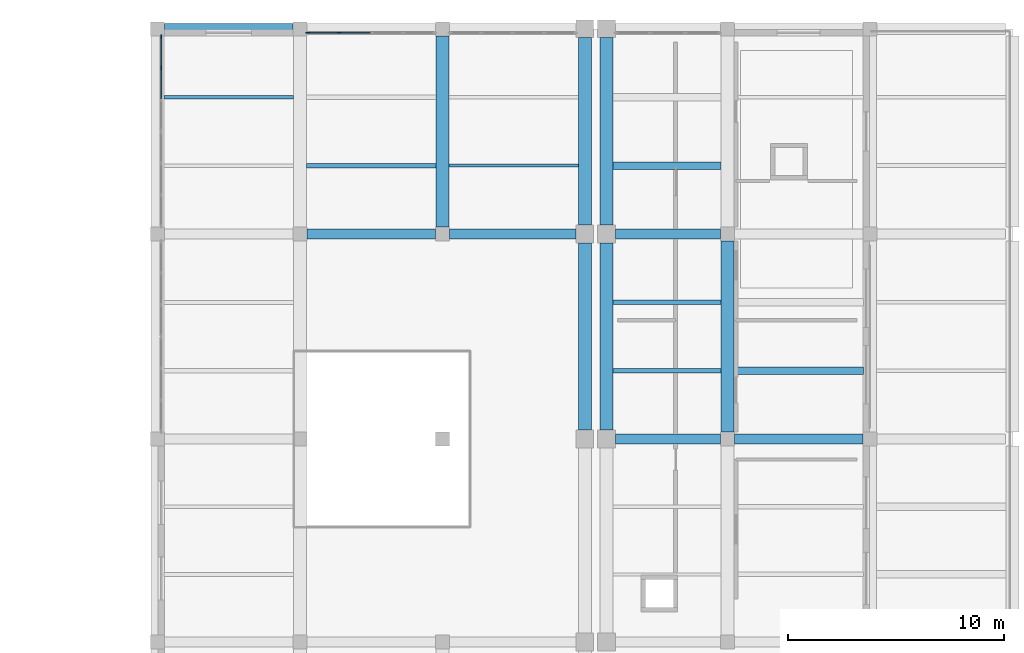
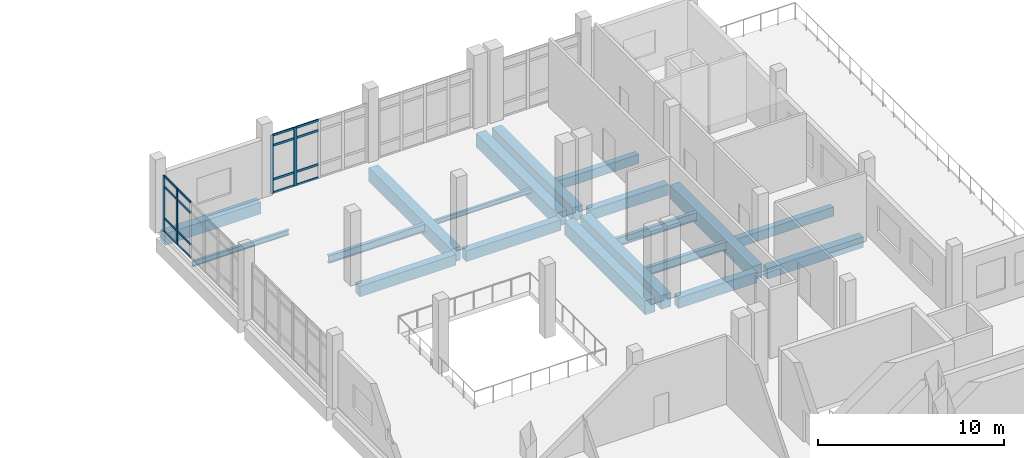
# One storey, part 29 of 73: 20 members, 19 beams, 2 elements without a shape of their own.
"""IFC4 building model written with IfcOpenShell, lengths in metres."""

from ifc_helpers import new_model, si_unit, direction, frame, origin, origin_2d, place, context, subcontext, project, spatial, rectangle, i_section, extrude, material, layer, layer_set, material_profile, profile_set, type_object, element, aggregate, save


model = new_model("IFC4")

# Units and contexts
model_context = context("Model", 3, precision=1e-05, world=origin(), true_north=direction((0.0, 1.0)))
body_context = subcontext(model_context, "Body", "Model", "MODEL_VIEW")
ifc_project = project(units=[si_unit("LENGTHUNIT", "METRE"), si_unit("AREAUNIT", "SQUARE_METRE"), si_unit("VOLUMEUNIT", "CUBIC_METRE"), si_unit("PLANEANGLEUNIT", "RADIAN"), si_unit("MASSUNIT", "GRAM", prefix="KILO")], contexts=[model_context])

# Site, building, storey
site_placement = place(None, origin())
site = spatial("IfcSite", under=ifc_project, at=site_placement, CompositionType="ELEMENT")
building_placement = place(site_placement, origin())
building = spatial("IfcBuilding", under=site, at=building_placement, Name="Kelarvand Opera House", CompositionType="ELEMENT")
storey_placement = place(building_placement, frame((0.0, 0.0, 10.199951171875)))
storey = spatial("IfcBuildingStorey", under=building, at=storey_placement, Name="L02", CompositionType="ELEMENT", Elevation=10.199951171875)

# Curtain wall, members
ifc_material_1 = material(Name="Thermally broken aluminium and low-E glazing", Category="aluminium")
ifc_layer_1 = layer(ifc_material_1, 0.179931640625, Name="Thermally broken aluminium and low-E glazing", Category="aluminium")
ifc_layer_set_1 = layer_set([ifc_layer_1], Name="Thermally broken aluminium and low-E glazing")
curtain_wall_type_1 = type_object("IfcCurtainWallType", Name="Unitised Low-E Curtain Wall 4411x3680 Mod 1450 CWF-47", PredefinedType="USERDEFINED", material=ifc_layer_set_1)
curtain_wall_1_placement = place(storey_placement, origin())
curtain_wall_1 = element("IfcCurtainWall", 1, at=curtain_wall_1_placement, inside=storey, type_object=curtain_wall_type_1, Name="V5 L02 Curtain Wall CWF-47 (193)", ObjectType="UNITISED CURTAIN WALL", PredefinedType="USERDEFINED")
ifc_material_2 = material(Name="Thermally broken anodised aluminium", Category="aluminium")
ifc_material_profile_1 = material_profile(ifc_material_2, rectangle(XDim=0.06494140625, YDim=0.179931640625, at=origin_2d()), Name="ALU MULLION 65x180", Category="aluminium")
ifc_profile_set_1 = profile_set([ifc_material_profile_1], Name="Thermally broken anodised aluminium")
member_type_1 = type_object("IfcMemberType", Name="Curtain Wall Mullion 65x180 Aluminium", PredefinedType="MULLION", material=ifc_profile_set_1)
member_1_placement = place(storey_placement, frame((95.780029296875, 123.193359375, 0.0), z_axis=(0.0, 0.0, 1.0), x_axis=(-1.0, 0.0, 0.0)))
member_1 = element("IfcMember", 2, at=member_1_placement, type_object=member_type_1, Name="CWF-47 mullion 3", PredefinedType="MULLION", context=body_context, shape_type="SweptSolid", body=[
    extrude(rectangle(XDim=0.06494140625, YDim=0.179931640625, at=origin_2d()), origin(), (0.0, 0.0, 1.0), 3.679931640625),
])
member_2_placement = place(storey_placement, frame((95.780029296875, 124.632568359375, 0.0), z_axis=(0.0, 0.0, 1.0), x_axis=(-1.0, 0.0, 0.0)))
member_2 = element("IfcMember", 3, at=member_2_placement, type_object=member_type_1, Name="CWF-47 mullion 4", PredefinedType="MULLION", context=body_context, shape_type="SweptSolid", body=[
    extrude(rectangle(XDim=0.06494140625, YDim=0.179931640625, at=origin_2d()), origin(), (0.0, 0.0, 1.0), 3.679931640625),
])

ifc_layer_2 = layer(ifc_material_1, 0.179931640625, Name="Thermally broken aluminium and low-E glazing", Category="aluminium")
ifc_layer_set_2 = layer_set([ifc_layer_2], Name="Thermally broken aluminium and low-E glazing")
curtain_wall_type_2 = type_object("IfcCurtainWallType", Name="Unitised Low-E Curtain Wall 5930x3830 Mod 1450 CWF-48", PredefinedType="USERDEFINED", material=ifc_layer_set_2)
curtain_wall_2_placement = place(storey_placement, origin())
curtain_wall_2 = element("IfcCurtainWall", 4, at=curtain_wall_2_placement, inside=storey, type_object=curtain_wall_type_2, Name="V5 L02 Curtain Wall CWF-48 (194)", ObjectType="UNITISED CURTAIN WALL", PredefinedType="USERDEFINED")
member_3_placement = place(storey_placement, frame((102.5673828125, 124.820068359375, 0.0), z_axis=(0.0, 0.0, 1.0), x_axis=(0.0, 1.0, 0.0)))
member_3 = element("IfcMember", 5, at=member_3_placement, type_object=member_type_1, Name="CWF-48 mullion 1", PredefinedType="MULLION", context=body_context, shape_type="SweptSolid", body=[
    extrude(rectangle(XDim=0.06494140625, YDim=0.179931640625, at=origin_2d()), origin(), (0.0, 0.0, 1.0), 3.830078125),
])
member_4_placement = place(storey_placement, frame((104.017578125, 124.820068359375, 0.0), z_axis=(0.0, 0.0, 1.0), x_axis=(0.0, 1.0, 0.0)))
member_4 = element("IfcMember", 6, at=member_4_placement, type_object=member_type_1, Name="CWF-48 mullion 2", PredefinedType="MULLION", context=body_context, shape_type="SweptSolid", body=[
    extrude(rectangle(XDim=0.06494140625, YDim=0.179931640625, at=origin_2d()), origin(), (0.0, 0.0, 1.0), 3.830078125),
])

# Member
ifc_material_profile_2 = material_profile(ifc_material_2, rectangle(XDim=0.06494140625, YDim=0.139892578125, at=origin_2d()), Name="ALU TRANSOM 65x140", Category="aluminium")
ifc_profile_set_2 = profile_set([ifc_material_profile_2], Name="Thermally broken anodised aluminium")
member_type_2 = type_object("IfcMemberType", Name="Curtain Wall Transom 65x140 Aluminium", PredefinedType="USERDEFINED", material=ifc_profile_set_2)
member_5_placement = place(storey_placement, frame((95.780029296875, 121.754150390625, 0.032470703125), z_axis=(0.0, 1.0, 0.0), x_axis=(-1.0, 0.0, 0.0)))
member_5 = element("IfcMember", 7, at=member_5_placement, type_object=member_type_2, Name="CWF-47 transom 2.1", ObjectType="TRANSOM", PredefinedType="USERDEFINED", context=body_context, shape_type="SweptSolid", body=[
    extrude(rectangle(XDim=0.06494140625, YDim=0.139892578125, at=origin_2d()), origin(), (0.0, 0.0, 1.0), 1.40673828125),
])

member_6_placement = place(storey_placement, frame((95.780029296875, 121.754150390625, 0.900146484375), z_axis=(0.0, 1.0, 0.0), x_axis=(-1.0, 0.0, 0.0)))
member_6 = element("IfcMember", 8, at=member_6_placement, type_object=member_type_2, Name="CWF-47 transom 2.2", ObjectType="TRANSOM", PredefinedType="USERDEFINED", context=body_context, shape_type="SweptSolid", body=[
    extrude(rectangle(XDim=0.06494140625, YDim=0.139892578125, at=origin_2d()), origin(), (0.0, 0.0, 1.0), 1.40673828125),
])

member_7_placement = place(storey_placement, frame((95.780029296875, 121.754150390625, 2.97998046875), z_axis=(0.0, 1.0, 0.0), x_axis=(-1.0, 0.0, 0.0)))
member_7 = element("IfcMember", 9, at=member_7_placement, type_object=member_type_2, Name="CWF-47 transom 2.3", ObjectType="TRANSOM", PredefinedType="USERDEFINED", context=body_context, shape_type="SweptSolid", body=[
    extrude(rectangle(XDim=0.06494140625, YDim=0.139892578125, at=origin_2d()), origin(), (0.0, 0.0, 1.0), 1.40673828125),
])

member_8_placement = place(storey_placement, frame((95.780029296875, 121.754150390625, 3.6474609375), z_axis=(0.0, 1.0, 0.0), x_axis=(-1.0, 0.0, 0.0)))
member_8 = element("IfcMember", 10, at=member_8_placement, type_object=member_type_2, Name="CWF-47 transom 2.4", ObjectType="TRANSOM", PredefinedType="USERDEFINED", context=body_context, shape_type="SweptSolid", body=[
    extrude(rectangle(XDim=0.06494140625, YDim=0.139892578125, at=origin_2d()), origin(), (0.0, 0.0, 1.0), 1.40673828125),
])

member_9_placement = place(storey_placement, frame((95.780029296875, 123.225830078125, 0.032470703125), z_axis=(0.0, 1.0, 0.0), x_axis=(-1.0, 0.0, 0.0)))
member_9 = element("IfcMember", 11, at=member_9_placement, type_object=member_type_2, Name="CWF-47 transom 3.1", ObjectType="TRANSOM", PredefinedType="USERDEFINED", context=body_context, shape_type="SweptSolid", body=[
    extrude(rectangle(XDim=0.06494140625, YDim=0.139892578125, at=origin_2d()), origin(), (0.0, 0.0, 1.0), 1.374267578125),
])

member_10_placement = place(storey_placement, frame((95.780029296875, 123.225830078125, 0.900146484375), z_axis=(0.0, 1.0, 0.0), x_axis=(-1.0, 0.0, 0.0)))
member_10 = element("IfcMember", 12, at=member_10_placement, type_object=member_type_2, Name="CWF-47 transom 3.2", ObjectType="TRANSOM", PredefinedType="USERDEFINED", context=body_context, shape_type="SweptSolid", body=[
    extrude(rectangle(XDim=0.06494140625, YDim=0.139892578125, at=origin_2d()), origin(), (0.0, 0.0, 1.0), 1.374267578125),
])

member_11_placement = place(storey_placement, frame((95.780029296875, 123.225830078125, 2.97998046875), z_axis=(0.0, 1.0, 0.0), x_axis=(-1.0, 0.0, 0.0)))
member_11 = element("IfcMember", 13, at=member_11_placement, type_object=member_type_2, Name="CWF-47 transom 3.3", ObjectType="TRANSOM", PredefinedType="USERDEFINED", context=body_context, shape_type="SweptSolid", body=[
    extrude(rectangle(XDim=0.06494140625, YDim=0.139892578125, at=origin_2d()), origin(), (0.0, 0.0, 1.0), 1.374267578125),
])

member_12_placement = place(storey_placement, frame((95.780029296875, 123.225830078125, 3.6474609375), z_axis=(0.0, 1.0, 0.0), x_axis=(-1.0, 0.0, 0.0)))
member_12 = element("IfcMember", 14, at=member_12_placement, type_object=member_type_2, Name="CWF-47 transom 3.4", ObjectType="TRANSOM", PredefinedType="USERDEFINED", context=body_context, shape_type="SweptSolid", body=[
    extrude(rectangle(XDim=0.06494140625, YDim=0.139892578125, at=origin_2d()), origin(), (0.0, 0.0, 1.0), 1.374267578125),
])

aggregate(curtain_wall_1, [member_1, member_2, member_5, member_6, member_7, member_8, member_9, member_10, member_11, member_12])

member_13_placement = place(storey_placement, frame((102.60009765625, 124.820068359375, 0.032470703125), z_axis=(1.0, 0.0, 0.0), x_axis=(0.0, 1.0, 0.0)))
member_13 = element("IfcMember", 15, at=member_13_placement, type_object=member_type_2, Name="CWF-48 transom 1.1", ObjectType="TRANSOM", PredefinedType="USERDEFINED", context=body_context, shape_type="SweptSolid", body=[
    extrude(rectangle(XDim=0.06494140625, YDim=0.139892578125, at=origin_2d()), origin(), (0.0, 0.0, 1.0), 1.385009765625),
])

member_14_placement = place(storey_placement, frame((102.60009765625, 124.820068359375, 0.900146484375), z_axis=(1.0, 0.0, 0.0), x_axis=(0.0, 1.0, 0.0)))
member_14 = element("IfcMember", 16, at=member_14_placement, type_object=member_type_2, Name="CWF-48 transom 1.2", ObjectType="TRANSOM", PredefinedType="USERDEFINED", context=body_context, shape_type="SweptSolid", body=[
    extrude(rectangle(XDim=0.06494140625, YDim=0.139892578125, at=origin_2d()), origin(), (0.0, 0.0, 1.0), 1.385009765625),
])

member_15_placement = place(storey_placement, frame((102.60009765625, 124.820068359375, 3.130126953125), z_axis=(1.0, 0.0, 0.0), x_axis=(0.0, 1.0, 0.0)))
member_15 = element("IfcMember", 17, at=member_15_placement, type_object=member_type_2, Name="CWF-48 transom 1.3", ObjectType="TRANSOM", PredefinedType="USERDEFINED", context=body_context, shape_type="SweptSolid", body=[
    extrude(rectangle(XDim=0.06494140625, YDim=0.139892578125, at=origin_2d()), origin(), (0.0, 0.0, 1.0), 1.385009765625),
])

member_16_placement = place(storey_placement, frame((102.60009765625, 124.820068359375, 3.797607421875), z_axis=(1.0, 0.0, 0.0), x_axis=(0.0, 1.0, 0.0)))
member_16 = element("IfcMember", 18, at=member_16_placement, type_object=member_type_2, Name="CWF-48 transom 1.4", ObjectType="TRANSOM", PredefinedType="USERDEFINED", context=body_context, shape_type="SweptSolid", body=[
    extrude(rectangle(XDim=0.06494140625, YDim=0.139892578125, at=origin_2d()), origin(), (0.0, 0.0, 1.0), 1.385009765625),
])

member_17_placement = place(storey_placement, frame((104.050048828125, 124.820068359375, 0.032470703125), z_axis=(1.0, 0.0, 0.0), x_axis=(0.0, 1.0, 0.0)))
member_17 = element("IfcMember", 19, at=member_17_placement, type_object=member_type_2, Name="CWF-48 transom 2.1", ObjectType="TRANSOM", PredefinedType="USERDEFINED", context=body_context, shape_type="SweptSolid", body=[
    extrude(rectangle(XDim=0.06494140625, YDim=0.139892578125, at=origin_2d()), origin(), (0.0, 0.0, 1.0), 1.41748046875),
])

member_18_placement = place(storey_placement, frame((104.050048828125, 124.820068359375, 0.900146484375), z_axis=(1.0, 0.0, 0.0), x_axis=(0.0, 1.0, 0.0)))
member_18 = element("IfcMember", 20, at=member_18_placement, type_object=member_type_2, Name="CWF-48 transom 2.2", ObjectType="TRANSOM", PredefinedType="USERDEFINED", context=body_context, shape_type="SweptSolid", body=[
    extrude(rectangle(XDim=0.06494140625, YDim=0.139892578125, at=origin_2d()), origin(), (0.0, 0.0, 1.0), 1.41748046875),
])

member_19_placement = place(storey_placement, frame((104.050048828125, 124.820068359375, 3.130126953125), z_axis=(1.0, 0.0, 0.0), x_axis=(0.0, 1.0, 0.0)))
member_19 = element("IfcMember", 21, at=member_19_placement, type_object=member_type_2, Name="CWF-48 transom 2.3", ObjectType="TRANSOM", PredefinedType="USERDEFINED", context=body_context, shape_type="SweptSolid", body=[
    extrude(rectangle(XDim=0.06494140625, YDim=0.139892578125, at=origin_2d()), origin(), (0.0, 0.0, 1.0), 1.41748046875),
])

member_20_placement = place(storey_placement, frame((104.050048828125, 124.820068359375, 3.797607421875), z_axis=(1.0, 0.0, 0.0), x_axis=(0.0, 1.0, 0.0)))
member_20 = element("IfcMember", 22, at=member_20_placement, type_object=member_type_2, Name="CWF-48 transom 2.4", ObjectType="TRANSOM", PredefinedType="USERDEFINED", context=body_context, shape_type="SweptSolid", body=[
    extrude(rectangle(XDim=0.06494140625, YDim=0.139892578125, at=origin_2d()), origin(), (0.0, 0.0, 1.0), 1.41748046875),
])

aggregate(curtain_wall_2, [member_3, member_4, member_13, member_14, member_15, member_16, member_17, member_18, member_19, member_20])

# Beams
ifc_material_3 = material(Name="Concrete C35/45", Category="concrete")
ifc_material_profile_3 = material_profile(ifc_material_3, rectangle(XDim=0.35009765625, YDim=0.60009765625, at=origin_2d()), Name="RC 350x600", Category="concrete")
ifc_profile_set_3 = profile_set([ifc_material_profile_3], Name="Concrete C35/45")
beam_type_1 = type_object("IfcBeamType", Name="Structural Beam RC 350x600 BM-RC350x600", PredefinedType="BEAM", material=ifc_profile_set_3)
beam_1_placement = place(storey_placement, frame((116.699951171875, 118.666748046875, -0.599853515625), z_axis=(1.0, 0.0, 0.0), x_axis=(0.0, 1.0, 0.0)))
element("IfcBeam", 23, at=beam_1_placement, inside=storey, type_object=beam_type_1, Name="V5 L02 Beam BM-RC350x600", PredefinedType="BEAM", context=body_context, shape_type="SweptSolid", body=[
    extrude(rectangle(XDim=0.35009765625, YDim=0.60009765625, at=origin_2d()), origin(), (0.0, 0.0, 1.0), 5.0),
])
beam_2_placement = place(storey_placement, frame((122.300048828125, 109.166748046875, -0.599853515625), z_axis=(1.0, 0.0, 0.0), x_axis=(0.0, 1.0, 0.0)))
element("IfcBeam", 24, at=beam_2_placement, inside=storey, type_object=beam_type_1, Name="V5 L02 Beam BM-RC350x600", PredefinedType="BEAM", context=body_context, shape_type="SweptSolid", body=[
    extrude(rectangle(XDim=0.35009765625, YDim=0.60009765625, at=origin_2d()), origin(), (0.0, 0.0, 1.0), 6.0),
])
ifc_material_4 = material(Name="Concrete C40/50", Category="concrete")
ifc_material_profile_4 = material_profile(ifc_material_4, rectangle(XDim=0.449951171875, YDim=0.699951171875, at=origin_2d()), Name="RC 450x700", Category="concrete")
ifc_profile_set_4 = profile_set([ifc_material_profile_4], Name="Concrete C40/50")
beam_type_2 = type_object("IfcBeamType", Name="Structural Beam RC 450x700 BM-RC450x700", PredefinedType="BEAM", material=ifc_profile_set_4)
beam_3_placement = place(storey_placement, frame((116.81005859375, 106.0, -0.64990234375), z_axis=(1.0, 0.0, 0.0), x_axis=(0.0, 1.0, 0.0)))
element("IfcBeam", 25, at=beam_3_placement, inside=storey, type_object=beam_type_2, Name="V5 L02 Beam BM-RC450x700", PredefinedType="BEAM", context=body_context, shape_type="SweptSolid", body=[
    extrude(rectangle(XDim=0.449951171875, YDim=0.699951171875, at=origin_2d()), origin(), (0.0, 0.0, 1.0), 4.864990234375),
])
beam_4_placement = place(storey_placement, frame((122.324951171875, 106.0, -0.64990234375), z_axis=(1.0, 0.0, 0.0), x_axis=(0.0, 1.0, 0.0)))
element("IfcBeam", 26, at=beam_4_placement, inside=storey, type_object=beam_type_2, Name="V5 L02 Beam BM-RC450x700", PredefinedType="BEAM", context=body_context, shape_type="SweptSolid", body=[
    extrude(rectangle(XDim=0.449951171875, YDim=0.699951171875, at=origin_2d()), origin(), (0.0, 0.0, 1.0), 5.949951171875),
])
beam_5_placement = place(storey_placement, frame((102.52490234375, 115.5, -0.64990234375), z_axis=(1.0, 0.0, 0.0), x_axis=(0.0, 1.0, 0.0)))
element("IfcBeam", 27, at=beam_5_placement, inside=storey, type_object=beam_type_2, Name="V5 L02 Beam BM-RC450x700", PredefinedType="BEAM", context=body_context, shape_type="SweptSolid", body=[
    extrude(rectangle(XDim=0.449951171875, YDim=0.699951171875, at=origin_2d()), origin(), (0.0, 0.0, 1.0), 5.9501953125),
])
beam_6_placement = place(storey_placement, frame((109.125, 115.5, -0.64990234375), z_axis=(1.0, 0.0, 0.0), x_axis=(0.0, 1.0, 0.0)))
element("IfcBeam", 28, at=beam_6_placement, inside=storey, type_object=beam_type_2, Name="V5 L02 Beam BM-RC450x700", PredefinedType="BEAM", context=body_context, shape_type="SweptSolid", body=[
    extrude(rectangle(XDim=0.449951171875, YDim=0.699951171875, at=origin_2d()), origin(), (0.0, 0.0, 1.0), 5.864990234375),
])
beam_7_placement = place(storey_placement, frame((116.81005859375, 115.5, -0.64990234375), z_axis=(1.0, 0.0, 0.0), x_axis=(0.0, 1.0, 0.0)))
element("IfcBeam", 29, at=beam_7_placement, inside=storey, type_object=beam_type_2, Name="V5 L02 Beam BM-RC450x700", PredefinedType="BEAM", context=body_context, shape_type="SweptSolid", body=[
    extrude(rectangle(XDim=0.449951171875, YDim=0.699951171875, at=origin_2d()), origin(), (0.0, 0.0, 1.0), 4.864990234375),
])
ifc_material_profile_5 = material_profile(ifc_material_4, rectangle(XDim=0.60009765625, YDim=0.89990234375, at=origin_2d()), Name="RC 600x900", Category="concrete")
ifc_profile_set_5 = profile_set([ifc_material_profile_5], Name="Concrete C40/50")
beam_type_3 = type_object("IfcBeamType", Name="Structural Beam RC 600x900 BM-RC600x900", PredefinedType="BEAM", material=ifc_profile_set_5)
beam_8_placement = place(storey_placement, frame((108.800048828125, 115.824951171875, -0.75), z_axis=(0.0, 1.0, 0.0), x_axis=(-1.0, 0.0, 0.0)))
element("IfcBeam", 30, at=beam_8_placement, inside=storey, type_object=beam_type_3, Name="V5 L02 Beam BM-RC600x900", PredefinedType="BEAM", context=body_context, shape_type="SweptSolid", body=[
    extrude(rectangle(XDim=0.60009765625, YDim=0.89990234375, at=origin_2d()), origin(), (0.0, 0.0, 1.0), 8.85009765625),
])
for number, where, z_axis, x_axis, name in (
    (31, (115.39990234375, 106.409912109375, -0.75), (0.0, 1.0, 0.0), (-1.0, 0.0, 0.0), "V5 L02 Beam BM-RC600x900"),
    (32, (115.39990234375, 115.909912109375, -0.75), (0.0, 1.0, 0.0), (-1.0, 0.0, 0.0), "V5 L02 Beam BM-RC600x900"),
    (33, (116.39990234375, 106.409912109375, -0.75), (0.0, 1.0, 0.0), (-1.0, 0.0, 0.0), "V5 L02 Beam BM-RC600x900"),
    (34, (116.39990234375, 115.909912109375, -0.75), (0.0, 1.0, 0.0), (-1.0, 0.0, 0.0), "V5 L02 Beam BM-RC600x900"),
):
    element("IfcBeam", number, at=place(storey_placement, frame(where, z_axis=z_axis, x_axis=x_axis)), inside=storey, type_object=beam_type_3, Name=name, PredefinedType="BEAM", context=body_context, shape_type="SweptSolid", body=[
        extrude(rectangle(XDim=0.60009765625, YDim=0.89990234375, at=origin_2d()), origin(), (0.0, 0.0, 1.0), 8.68017578125),
    ])
beam_9_placement = place(storey_placement, frame((122.0, 106.324951171875, -0.75), z_axis=(0.0, 1.0, 0.0), x_axis=(-1.0, 0.0, 0.0)))
element("IfcBeam", 35, at=beam_9_placement, inside=storey, type_object=beam_type_3, Name="V5 L02 Beam BM-RC600x900", PredefinedType="BEAM", context=body_context, shape_type="SweptSolid", body=[
    extrude(rectangle(XDim=0.60009765625, YDim=0.89990234375, at=origin_2d()), origin(), (0.0, 0.0, 1.0), 8.85009765625),
])
ifc_material_5 = material(Name="Steel S355", Category="steel")
ifc_material_profile_6 = material_profile(ifc_material_5, i_section(OverallWidth=0.14990234375, OverallDepth=0.300048828125, WebThickness=0.007080078125, FlangeThickness=0.0107421875, at=origin_2d()), Name="IPE 300", Category="steel")
ifc_profile_set_6 = profile_set([ifc_material_profile_6], Name="Steel S355")
beam_type_4 = type_object("IfcBeamType", Name="Structural Joist IPE 300 JS-IPE300", PredefinedType="JOIST", material=ifc_profile_set_6)
beam_10_placement = place(storey_placement, frame((109.10009765625, 118.666748046875, -0.449951171875), z_axis=(1.0, 0.0, 0.0), x_axis=(0.0, 1.0, 0.0)))
element("IfcBeam", 36, at=beam_10_placement, inside=storey, type_object=beam_type_4, Name="V5 L02 Beam JS-IPE300", PredefinedType="JOIST", context=body_context, shape_type="SweptSolid", body=[
    extrude(i_section(OverallWidth=0.14990234375, OverallDepth=0.300048828125, WebThickness=0.007080078125, FlangeThickness=0.0107421875, at=origin_2d()), origin(), (0.0, 0.0, 1.0), 6.0),
])
ifc_material_profile_7 = material_profile(ifc_material_5, i_section(OverallWidth=0.159912109375, OverallDepth=0.330078125, WebThickness=0.007568359375, FlangeThickness=0.011474609375, at=origin_2d()), Name="IPE 330", Category="steel")
ifc_profile_set_7 = profile_set([ifc_material_profile_7], Name="Steel S355")
beam_type_5 = type_object("IfcBeamType", Name="Structural Joist IPE 330 JS-IPE330", PredefinedType="JOIST", material=ifc_profile_set_7)
beam_11_placement = place(storey_placement, frame((95.89990234375, 121.833251953125, -0.46484375), z_axis=(1.0, 0.0, 0.0), x_axis=(0.0, 1.0, 0.0)))
element("IfcBeam", 37, at=beam_11_placement, inside=storey, type_object=beam_type_5, Name="V5 L02 Beam JS-IPE330", PredefinedType="JOIST", context=body_context, shape_type="SweptSolid", body=[
    extrude(i_section(OverallWidth=0.159912109375, OverallDepth=0.330078125, WebThickness=0.007568359375, FlangeThickness=0.011474609375, at=origin_2d()), origin(), (0.0, 0.0, 1.0), 6.0),
])
ifc_material_profile_8 = material_profile(ifc_material_5, i_section(OverallWidth=0.199951171875, OverallDepth=0.5, WebThickness=0.01025390625, FlangeThickness=0.01611328125, at=origin_2d()), Name="IPE 500", Category="steel")
ifc_profile_set_8 = profile_set([ifc_material_profile_8], Name="Steel S355")
beam_type_6 = type_object("IfcBeamType", Name="Structural Joist IPE 500 JS-IPE500", PredefinedType="JOIST", material=ifc_profile_set_8)
beam_12_placement = place(storey_placement, frame((102.5, 118.666748046875, -0.550048828125), z_axis=(1.0, 0.0, 0.0), x_axis=(0.0, 1.0, 0.0)))
element("IfcBeam", 38, at=beam_12_placement, inside=storey, type_object=beam_type_6, Name="V5 L02 Beam JS-IPE500", PredefinedType="JOIST", context=body_context, shape_type="SweptSolid", body=[
    extrude(i_section(OverallWidth=0.199951171875, OverallDepth=0.5, WebThickness=0.01025390625, FlangeThickness=0.01611328125, at=origin_2d()), origin(), (0.0, 0.0, 1.0), 6.0),
])
ifc_material_profile_9 = material_profile(ifc_material_5, i_section(OverallWidth=0.2099609375, OverallDepth=0.550048828125, WebThickness=0.010986328125, FlangeThickness=0.01708984375, at=origin_2d()), Name="IPE 550", Category="steel")
ifc_profile_set_9 = profile_set([ifc_material_profile_9], Name="Steel S355")
beam_type_7 = type_object("IfcBeamType", Name="Structural Joist IPE 550 JS-IPE550", PredefinedType="JOIST", material=ifc_profile_set_9)
for number, where, z_axis, x_axis, name in (
    (39, (116.699951171875, 109.166748046875, -0.574951171875), (1.0, 0.0, 0.0), (0.0, 1.0, 0.0), "V5 L02 Beam JS-IPE550"),
    (40, (116.699951171875, 112.333251953125, -0.574951171875), (1.0, 0.0, 0.0), (0.0, 1.0, 0.0), "V5 L02 Beam JS-IPE550"),
):
    element("IfcBeam", number, at=place(storey_placement, frame(where, z_axis=z_axis, x_axis=x_axis)), inside=storey, type_object=beam_type_7, Name=name, PredefinedType="JOIST", context=body_context, shape_type="SweptSolid", body=[
        extrude(i_section(OverallWidth=0.2099609375, OverallDepth=0.550048828125, WebThickness=0.010986328125, FlangeThickness=0.01708984375, at=origin_2d()), origin(), (0.0, 0.0, 1.0), 5.0),
    ])
ifc_material_profile_10 = material_profile(ifc_material_4, rectangle(XDim=0.5, YDim=0.75, at=origin_2d()), Name="RC 500x750", Category="concrete")
ifc_profile_set_10 = profile_set([ifc_material_profile_10], Name="Concrete C40/50")
beam_type_8 = type_object("IfcBeamType", Name="Structural Spandrel RC 500x750 SP-RC500x750E", PredefinedType="SPANDREL", material=ifc_profile_set_10)
beam_13_placement = place(storey_placement, frame((95.925048828125, 125.0, -0.675048828125), z_axis=(1.0, 0.0, 0.0), x_axis=(0.0, 1.0, 0.0)))
element("IfcBeam", 41, at=beam_13_placement, inside=storey, type_object=beam_type_8, Name="V5 L02 Beam SP-RC500x750E", PredefinedType="SPANDREL", context=body_context, shape_type="SweptSolid", body=[
    extrude(rectangle(XDim=0.5, YDim=0.75, at=origin_2d()), origin(), (0.0, 0.0, 1.0), 5.949951171875),
])

save(model, "model.ifc")
